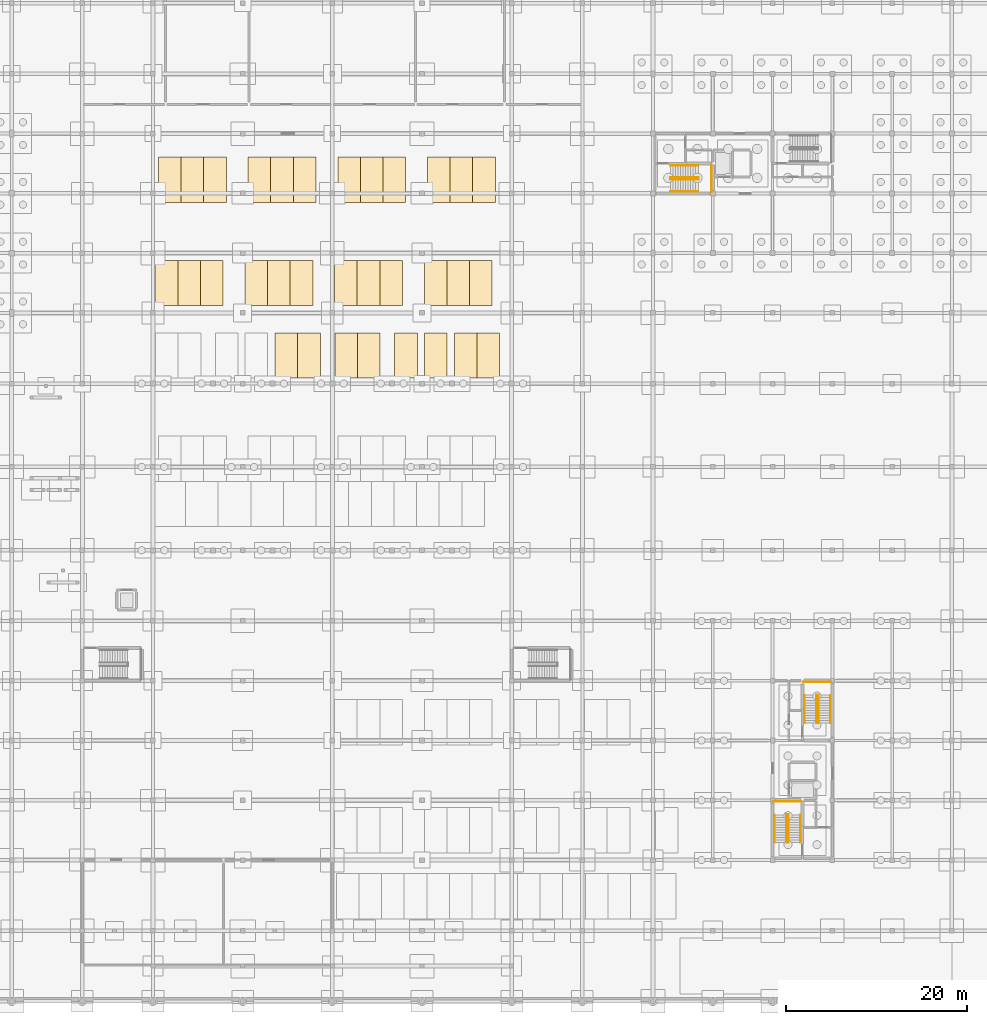
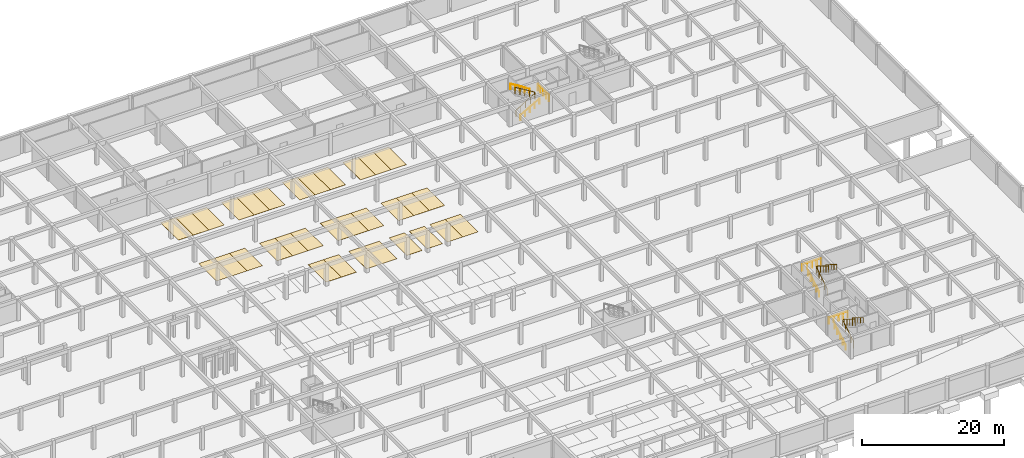
# One storey, part 35 of 37: 32 coverings, 12 railings.
"""IFC4 building model written with IfcOpenShell, lengths in metres."""

from ifc_helpers import new_model, si_unit, direction, frame, origin, origin_2d, place, context, subcontext, project, spatial, polyline, circle, outline, extrude, material, layer, layer_set, type_object, element, save


model = new_model("IFC4")

# Units and contexts
model_context = context("Model", 3, precision=1e-05, world=origin(), true_north=direction((0.0, 1.0)))
body_context = subcontext(model_context, "Body", "Model", "MODEL_VIEW")
ifc_project = project(units=[si_unit("LENGTHUNIT", "METRE"), si_unit("AREAUNIT", "SQUARE_METRE"), si_unit("VOLUMEUNIT", "CUBIC_METRE"), si_unit("PLANEANGLEUNIT", "RADIAN"), si_unit("MASSUNIT", "GRAM", prefix="KILO")], contexts=[model_context])

# Site, building, storey
site_placement = place(None, origin())
site = spatial("IfcSite", under=ifc_project, at=site_placement, CompositionType="ELEMENT")
building_placement = place(site_placement, origin())
building = spatial("IfcBuilding", under=site, at=building_placement, Name="Kernevlak Ridge Housing Community", CompositionType="ELEMENT")
storey_placement = place(building_placement, frame((0.0, 0.0, -3.800048828125)))
storey = spatial("IfcBuildingStorey", under=building, at=storey_placement, Name="B1", CompositionType="ELEMENT", Elevation=-3.800048828125)

# Coverings
ifc_material_1 = material(Name="White road marking paint on concrete", Category="concrete")
ifc_layer = layer(ifc_material_1, 0.010009765625, Name="White road marking paint on concrete")
ifc_layer_set = layer_set([ifc_layer], Name="White road marking paint on concrete")
covering_type = type_object("IfcCoveringType", Name="CV-05", PredefinedType="FLOORING", material=ifc_layer_set)
covering_1_placement = place(storey_placement, origin())
element("IfcCovering", 1, at=covering_1_placement, inside=storey, type_object=covering_type, Name="Parking bay 23", PredefinedType="FLOORING", context=body_context, shape_type="SweptSolid", body=[
    extrude(outline(polyline([(77.675048828125, 68.800048828125), (80.175048828125, 68.800048828125), (80.175048828125, 73.800048828125), (77.675048828125, 73.800048828125), (77.675048828125, 68.800048828125)])), origin(), (0.0, 0.0, 1.0), 0.010009765625),
])
covering_2_placement = place(storey_placement, origin())
element("IfcCovering", 2, at=covering_2_placement, inside=storey, type_object=covering_type, Name="Parking bay 24", PredefinedType="FLOORING", context=body_context, shape_type="SweptSolid", body=[
    extrude(outline(polyline([(80.175048828125, 68.800048828125), (82.675048828125, 68.800048828125), (82.675048828125, 73.800048828125), (80.175048828125, 73.800048828125), (80.175048828125, 68.800048828125)])), origin(), (0.0, 0.0, 1.0), 0.010009765625),
])
covering_3_placement = place(storey_placement, origin())
element("IfcCovering", 3, at=covering_3_placement, inside=storey, type_object=covering_type, Name="Parking bay 25", PredefinedType="FLOORING", context=body_context, shape_type="SweptSolid", body=[
    extrude(outline(polyline([(84.27490234375, 68.800048828125), (86.77490234375, 68.800048828125), (86.77490234375, 73.800048828125), (84.27490234375, 73.800048828125), (84.27490234375, 68.800048828125)])), origin(), (0.0, 0.0, 1.0), 0.010009765625),
])
covering_4_placement = place(storey_placement, origin())
element("IfcCovering", 4, at=covering_4_placement, inside=storey, type_object=covering_type, Name="Parking bay 26", PredefinedType="FLOORING", context=body_context, shape_type="SweptSolid", body=[
    extrude(outline(polyline([(86.77490234375, 68.800048828125), (89.27490234375, 68.800048828125), (89.27490234375, 73.800048828125), (86.77490234375, 73.800048828125), (86.77490234375, 68.800048828125)])), origin(), (0.0, 0.0, 1.0), 0.010009765625),
])
covering_5_placement = place(storey_placement, origin())
element("IfcCovering", 5, at=covering_5_placement, inside=storey, type_object=covering_type, Name="Parking bay 27", PredefinedType="FLOORING", context=body_context, shape_type="SweptSolid", body=[
    extrude(outline(polyline([(90.875, 68.800048828125), (93.375, 68.800048828125), (93.375, 73.800048828125), (90.875, 73.800048828125), (90.875, 68.800048828125)])), origin(), (0.0, 0.0, 1.0), 0.010009765625),
])
covering_6_placement = place(storey_placement, origin())
element("IfcCovering", 6, at=covering_6_placement, inside=storey, type_object=covering_type, Name="Parking bay 28", PredefinedType="FLOORING", context=body_context, shape_type="SweptSolid", body=[
    extrude(outline(polyline([(94.14990234375, 68.800048828125), (96.64990234375, 68.800048828125), (96.64990234375, 73.800048828125), (94.14990234375, 73.800048828125), (94.14990234375, 68.800048828125)])), origin(), (0.0, 0.0, 1.0), 0.010009765625),
])
covering_7_placement = place(storey_placement, origin())
element("IfcCovering", 7, at=covering_7_placement, inside=storey, type_object=covering_type, Name="Parking bay 29", PredefinedType="FLOORING", context=body_context, shape_type="SweptSolid", body=[
    extrude(outline(polyline([(97.47509765625, 68.800048828125), (99.97509765625, 68.800048828125), (99.97509765625, 73.800048828125), (97.47509765625, 73.800048828125), (97.47509765625, 68.800048828125)])), origin(), (0.0, 0.0, 1.0), 0.010009765625),
])
covering_8_placement = place(storey_placement, origin())
element("IfcCovering", 8, at=covering_8_placement, inside=storey, type_object=covering_type, Name="Parking bay 30", PredefinedType="FLOORING", context=body_context, shape_type="SweptSolid", body=[
    extrude(outline(polyline([(99.97509765625, 68.800048828125), (102.47509765625, 68.800048828125), (102.47509765625, 73.800048828125), (99.97509765625, 73.800048828125), (99.97509765625, 68.800048828125)])), origin(), (0.0, 0.0, 1.0), 0.010009765625),
])
covering_9_placement = place(storey_placement, origin())
element("IfcCovering", 9, at=covering_9_placement, inside=storey, type_object=covering_type, Name="Parking bay 31", PredefinedType="FLOORING", context=body_context, shape_type="SweptSolid", body=[
    extrude(outline(polyline([(64.449951171875, 76.800048828125), (66.949951171875, 76.800048828125), (66.949951171875, 81.800048828125), (64.449951171875, 81.800048828125), (64.449951171875, 76.800048828125)])), origin(), (0.0, 0.0, 1.0), 0.010009765625),
])
covering_10_placement = place(storey_placement, origin())
element("IfcCovering", 10, at=covering_10_placement, inside=storey, type_object=covering_type, Name="Parking bay 32", PredefinedType="FLOORING", context=body_context, shape_type="SweptSolid", body=[
    extrude(outline(polyline([(66.949951171875, 76.800048828125), (69.449951171875, 76.800048828125), (69.449951171875, 81.800048828125), (66.949951171875, 81.800048828125), (66.949951171875, 76.800048828125)])), origin(), (0.0, 0.0, 1.0), 0.010009765625),
])
covering_11_placement = place(storey_placement, origin())
element("IfcCovering", 11, at=covering_11_placement, inside=storey, type_object=covering_type, Name="Parking bay 33", PredefinedType="FLOORING", context=body_context, shape_type="SweptSolid", body=[
    extrude(outline(polyline([(69.449951171875, 76.800048828125), (71.949951171875, 76.800048828125), (71.949951171875, 81.800048828125), (69.449951171875, 81.800048828125), (69.449951171875, 76.800048828125)])), origin(), (0.0, 0.0, 1.0), 0.010009765625),
])
covering_12_placement = place(storey_placement, origin())
element("IfcCovering", 12, at=covering_12_placement, inside=storey, type_object=covering_type, Name="Parking bay 34", PredefinedType="FLOORING", context=body_context, shape_type="SweptSolid", body=[
    extrude(outline(polyline([(74.35009765625, 76.800048828125), (76.85009765625, 76.800048828125), (76.85009765625, 81.800048828125), (74.35009765625, 81.800048828125), (74.35009765625, 76.800048828125)])), origin(), (0.0, 0.0, 1.0), 0.010009765625),
])
covering_13_placement = place(storey_placement, origin())
element("IfcCovering", 13, at=covering_13_placement, inside=storey, type_object=covering_type, Name="Parking bay 35", PredefinedType="FLOORING", context=body_context, shape_type="SweptSolid", body=[
    extrude(outline(polyline([(76.85009765625, 76.800048828125), (79.35009765625, 76.800048828125), (79.35009765625, 81.800048828125), (76.85009765625, 81.800048828125), (76.85009765625, 76.800048828125)])), origin(), (0.0, 0.0, 1.0), 0.010009765625),
])
covering_14_placement = place(storey_placement, origin())
element("IfcCovering", 14, at=covering_14_placement, inside=storey, type_object=covering_type, Name="Parking bay 36", PredefinedType="FLOORING", context=body_context, shape_type="SweptSolid", body=[
    extrude(outline(polyline([(79.35009765625, 76.800048828125), (81.85009765625, 76.800048828125), (81.85009765625, 81.800048828125), (79.35009765625, 81.800048828125), (79.35009765625, 76.800048828125)])), origin(), (0.0, 0.0, 1.0), 0.010009765625),
])
covering_15_placement = place(storey_placement, origin())
element("IfcCovering", 15, at=covering_15_placement, inside=storey, type_object=covering_type, Name="Parking bay 37", PredefinedType="FLOORING", context=body_context, shape_type="SweptSolid", body=[
    extrude(outline(polyline([(84.25, 76.800048828125), (86.75, 76.800048828125), (86.75, 81.800048828125), (84.25, 81.800048828125), (84.25, 76.800048828125)])), origin(), (0.0, 0.0, 1.0), 0.010009765625),
])
covering_16_placement = place(storey_placement, origin())
element("IfcCovering", 16, at=covering_16_placement, inside=storey, type_object=covering_type, Name="Parking bay 38", PredefinedType="FLOORING", context=body_context, shape_type="SweptSolid", body=[
    extrude(outline(polyline([(86.75, 76.800048828125), (89.25, 76.800048828125), (89.25, 81.800048828125), (86.75, 81.800048828125), (86.75, 76.800048828125)])), origin(), (0.0, 0.0, 1.0), 0.010009765625),
])
covering_17_placement = place(storey_placement, origin())
element("IfcCovering", 17, at=covering_17_placement, inside=storey, type_object=covering_type, Name="Parking bay 39", PredefinedType="FLOORING", context=body_context, shape_type="SweptSolid", body=[
    extrude(outline(polyline([(89.25, 76.800048828125), (91.75, 76.800048828125), (91.75, 81.800048828125), (89.25, 81.800048828125), (89.25, 76.800048828125)])), origin(), (0.0, 0.0, 1.0), 0.010009765625),
])
covering_18_placement = place(storey_placement, origin())
element("IfcCovering", 18, at=covering_18_placement, inside=storey, type_object=covering_type, Name="Parking bay 40", PredefinedType="FLOORING", context=body_context, shape_type="SweptSolid", body=[
    extrude(outline(polyline([(94.14990234375, 76.800048828125), (96.64990234375, 76.800048828125), (96.64990234375, 81.800048828125), (94.14990234375, 81.800048828125), (94.14990234375, 76.800048828125)])), origin(), (0.0, 0.0, 1.0), 0.010009765625),
])
covering_19_placement = place(storey_placement, origin())
element("IfcCovering", 19, at=covering_19_placement, inside=storey, type_object=covering_type, Name="Parking bay 41", PredefinedType="FLOORING", context=body_context, shape_type="SweptSolid", body=[
    extrude(outline(polyline([(96.64990234375, 76.800048828125), (99.14990234375, 76.800048828125), (99.14990234375, 81.800048828125), (96.64990234375, 81.800048828125), (96.64990234375, 76.800048828125)])), origin(), (0.0, 0.0, 1.0), 0.010009765625),
])
covering_20_placement = place(storey_placement, origin())
element("IfcCovering", 20, at=covering_20_placement, inside=storey, type_object=covering_type, Name="Parking bay 42", PredefinedType="FLOORING", context=body_context, shape_type="SweptSolid", body=[
    extrude(outline(polyline([(99.14990234375, 76.800048828125), (101.64990234375, 76.800048828125), (101.64990234375, 81.800048828125), (99.14990234375, 81.800048828125), (99.14990234375, 76.800048828125)])), origin(), (0.0, 0.0, 1.0), 0.010009765625),
])
covering_21_placement = place(storey_placement, origin())
element("IfcCovering", 21, at=covering_21_placement, inside=storey, type_object=covering_type, Name="Parking bay 43", PredefinedType="FLOORING", context=body_context, shape_type="SweptSolid", body=[
    extrude(outline(polyline([(64.800048828125, 88.199951171875), (67.300048828125, 88.199951171875), (67.300048828125, 93.199951171875), (64.800048828125, 93.199951171875), (64.800048828125, 88.199951171875)])), origin(), (0.0, 0.0, 1.0), 0.010009765625),
])
covering_22_placement = place(storey_placement, origin())
element("IfcCovering", 22, at=covering_22_placement, inside=storey, type_object=covering_type, Name="Parking bay 44", PredefinedType="FLOORING", context=body_context, shape_type="SweptSolid", body=[
    extrude(outline(polyline([(67.300048828125, 88.199951171875), (69.800048828125, 88.199951171875), (69.800048828125, 93.199951171875), (67.300048828125, 93.199951171875), (67.300048828125, 88.199951171875)])), origin(), (0.0, 0.0, 1.0), 0.010009765625),
])
covering_23_placement = place(storey_placement, origin())
element("IfcCovering", 23, at=covering_23_placement, inside=storey, type_object=covering_type, Name="Parking bay 45", PredefinedType="FLOORING", context=body_context, shape_type="SweptSolid", body=[
    extrude(outline(polyline([(69.800048828125, 88.199951171875), (72.300048828125, 88.199951171875), (72.300048828125, 93.199951171875), (69.800048828125, 93.199951171875), (69.800048828125, 88.199951171875)])), origin(), (0.0, 0.0, 1.0), 0.010009765625),
])
covering_24_placement = place(storey_placement, origin())
element("IfcCovering", 24, at=covering_24_placement, inside=storey, type_object=covering_type, Name="Parking bay 46", PredefinedType="FLOORING", context=body_context, shape_type="SweptSolid", body=[
    extrude(outline(polyline([(74.699951171875, 88.199951171875), (77.199951171875, 88.199951171875), (77.199951171875, 93.199951171875), (74.699951171875, 93.199951171875), (74.699951171875, 88.199951171875)])), origin(), (0.0, 0.0, 1.0), 0.010009765625),
])
covering_25_placement = place(storey_placement, origin())
element("IfcCovering", 25, at=covering_25_placement, inside=storey, type_object=covering_type, Name="Parking bay 47", PredefinedType="FLOORING", context=body_context, shape_type="SweptSolid", body=[
    extrude(outline(polyline([(77.199951171875, 88.199951171875), (79.699951171875, 88.199951171875), (79.699951171875, 93.199951171875), (77.199951171875, 93.199951171875), (77.199951171875, 88.199951171875)])), origin(), (0.0, 0.0, 1.0), 0.010009765625),
])
covering_26_placement = place(storey_placement, origin())
element("IfcCovering", 26, at=covering_26_placement, inside=storey, type_object=covering_type, Name="Parking bay 48", PredefinedType="FLOORING", context=body_context, shape_type="SweptSolid", body=[
    extrude(outline(polyline([(79.699951171875, 88.199951171875), (82.199951171875, 88.199951171875), (82.199951171875, 93.199951171875), (79.699951171875, 93.199951171875), (79.699951171875, 88.199951171875)])), origin(), (0.0, 0.0, 1.0), 0.010009765625),
])
covering_27_placement = place(storey_placement, origin())
element("IfcCovering", 27, at=covering_27_placement, inside=storey, type_object=covering_type, Name="Parking bay 49", PredefinedType="FLOORING", context=body_context, shape_type="SweptSolid", body=[
    extrude(outline(polyline([(84.60009765625, 88.199951171875), (87.10009765625, 88.199951171875), (87.10009765625, 93.199951171875), (84.60009765625, 93.199951171875), (84.60009765625, 88.199951171875)])), origin(), (0.0, 0.0, 1.0), 0.010009765625),
])
covering_28_placement = place(storey_placement, origin())
element("IfcCovering", 28, at=covering_28_placement, inside=storey, type_object=covering_type, Name="Parking bay 50", PredefinedType="FLOORING", context=body_context, shape_type="SweptSolid", body=[
    extrude(outline(polyline([(87.10009765625, 88.199951171875), (89.60009765625, 88.199951171875), (89.60009765625, 93.199951171875), (87.10009765625, 93.199951171875), (87.10009765625, 88.199951171875)])), origin(), (0.0, 0.0, 1.0), 0.010009765625),
])
covering_29_placement = place(storey_placement, origin())
element("IfcCovering", 29, at=covering_29_placement, inside=storey, type_object=covering_type, Name="Parking bay 51", PredefinedType="FLOORING", context=body_context, shape_type="SweptSolid", body=[
    extrude(outline(polyline([(89.60009765625, 88.199951171875), (92.10009765625, 88.199951171875), (92.10009765625, 93.199951171875), (89.60009765625, 93.199951171875), (89.60009765625, 88.199951171875)])), origin(), (0.0, 0.0, 1.0), 0.010009765625),
])
covering_30_placement = place(storey_placement, origin())
element("IfcCovering", 30, at=covering_30_placement, inside=storey, type_object=covering_type, Name="Parking bay 52", PredefinedType="FLOORING", context=body_context, shape_type="SweptSolid", body=[
    extrude(outline(polyline([(94.5, 88.199951171875), (97.0, 88.199951171875), (97.0, 93.199951171875), (94.5, 93.199951171875), (94.5, 88.199951171875)])), origin(), (0.0, 0.0, 1.0), 0.010009765625),
])
covering_31_placement = place(storey_placement, origin())
element("IfcCovering", 31, at=covering_31_placement, inside=storey, type_object=covering_type, Name="Parking bay 53", PredefinedType="FLOORING", context=body_context, shape_type="SweptSolid", body=[
    extrude(outline(polyline([(97.0, 88.199951171875), (99.5, 88.199951171875), (99.5, 93.199951171875), (97.0, 93.199951171875), (97.0, 88.199951171875)])), origin(), (0.0, 0.0, 1.0), 0.010009765625),
])
covering_32_placement = place(storey_placement, origin())
element("IfcCovering", 32, at=covering_32_placement, inside=storey, type_object=covering_type, Name="Parking bay 54", PredefinedType="FLOORING", context=body_context, shape_type="SweptSolid", body=[
    extrude(outline(polyline([(99.5, 88.199951171875), (102.0, 88.199951171875), (102.0, 93.199951171875), (99.5, 93.199951171875), (99.5, 88.199951171875)])), origin(), (0.0, 0.0, 1.0), 0.010009765625),
])

# Railings
ifc_material_2 = material(Name="Steel S355", Category="steel")
railing_type_1 = type_object("IfcRailingType", Name="GR-02", PredefinedType="GUARDRAIL", material=ifc_material_2)
railing_1_placement = place(storey_placement, frame((121.320068359375, 90.719970703125, 0.0)))
element("IfcRailing", 33, at=railing_1_placement, inside=storey, type_object=railing_type_1, Name="Stair ST-B1 B1 inner well guardrail", PredefinedType="GUARDRAIL", context=body_context, shape_type="SweptSolid", body=[
    extrude(circle(Radius=0.02392578125, at=origin_2d()), frame((0.0, 0.0, 1.09619140625), z_axis=(0.854065598125, 0.0, 0.520165314203), x_axis=(0.0, 1.0, 0.0)), (0.0, 0.0, 1.0), 3.653076171875),
    extrude(circle(Radius=0.02392578125, at=origin_2d()), frame((3.119873046875, 0.0, 2.99609375), z_axis=(0.0, 1.0, 0.0), x_axis=(-1.0, 0.0, 0.0)), (0.0, 0.0, 1.0), 0.260009765625),
    extrude(circle(Radius=0.02392578125, at=origin_2d()), frame((3.119873046875, 0.260009765625, 2.99609375), z_axis=(-0.854095288912, 0.0, 0.520116561415), x_axis=(0.0, -1.0, 0.0)), (0.0, 0.0, 1.0), 3.65283203125),
    extrude(circle(Radius=0.02099609375, at=origin_2d()), origin(), (0.0, 0.0, 1.0), 1.072021484375),
    extrude(circle(Radius=0.02099609375, at=origin_2d()), frame((0.780029296875, 0.0, 0.47509765625)), (0.0, 0.0, 1.0), 1.072021484375),
    extrude(circle(Radius=0.02099609375, at=origin_2d()), frame((1.56005859375, 0.0, 0.9501953125)), (0.0, 0.0, 1.0), 1.072021484375),
    extrude(circle(Radius=0.02099609375, at=origin_2d()), frame((2.33984375, 0.0, 1.425048828125)), (0.0, 0.0, 1.0), 1.072021484375),
    extrude(circle(Radius=0.02099609375, at=origin_2d()), frame((3.119873046875, 0.0, 1.900146484375)), (0.0, 0.0, 1.0), 1.072021484375),
    extrude(circle(Radius=0.02099609375, at=origin_2d()), frame((3.119873046875, 0.260009765625, 1.900146484375)), (0.0, 0.0, 1.0), 1.072021484375),
    extrude(circle(Radius=0.02099609375, at=origin_2d()), frame((2.33984375, 0.260009765625, 2.375)), (0.0, 0.0, 1.0), 1.072021484375),
    extrude(circle(Radius=0.02099609375, at=origin_2d()), frame((1.56005859375, 0.260009765625, 2.85009765625)), (0.0, 0.0, 1.0), 1.072021484375),
    extrude(circle(Radius=0.02099609375, at=origin_2d()), frame((0.780029296875, 0.260009765625, 3.3251953125)), (0.0, 0.0, 1.0), 1.072021484375),
    extrude(circle(Radius=0.02099609375, at=origin_2d()), frame((0.0, 0.260009765625, 3.800048828125)), (0.0, 0.0, 1.0), 1.072021484375),
])
railing_2_placement = place(storey_placement, frame((125.8798828125, 89.320068359375, 1.900146484375)))
element("IfcRailing", 34, at=railing_2_placement, inside=storey, type_object=railing_type_1, Name="Stair ST-B1 B1 half-landing guard", PredefinedType="GUARDRAIL", context=body_context, shape_type="SweptSolid", body=[
    extrude(circle(Radius=0.02392578125, at=origin_2d()), frame((0.0, 0.0, 1.09619140625), z_axis=(0.0, 1.0, 0.0), x_axis=(-1.0, 0.0, 0.0)), (0.0, 0.0, 1.0), 3.059814453125),
    extrude(circle(Radius=0.02099609375, at=origin_2d()), origin(), (0.0, 0.0, 1.0), 1.072021484375),
    extrude(circle(Radius=0.02099609375, at=origin_2d()), frame((0.0, 0.764892578125, 0.0)), (0.0, 0.0, 1.0), 1.072021484375),
    extrude(circle(Radius=0.02099609375, at=origin_2d()), frame((0.0, 1.52978515625, 0.0)), (0.0, 0.0, 1.0), 1.072021484375),
    extrude(circle(Radius=0.02099609375, at=origin_2d()), frame((0.0, 2.294921875, 0.0)), (0.0, 0.0, 1.0), 1.072021484375),
    extrude(circle(Radius=0.02099609375, at=origin_2d()), frame((0.0, 3.059814453125, 0.0)), (0.0, 0.0, 1.0), 1.072021484375),
])
railing_3_placement = place(storey_placement, frame((134.1201171875, 17.52001953125, 0.0)))
element("IfcRailing", 35, at=railing_3_placement, inside=storey, type_object=railing_type_1, Name="Stair ST-C1 B1 inner well guardrail", PredefinedType="GUARDRAIL", context=body_context, shape_type="SweptSolid", body=[
    extrude(circle(Radius=0.02392578125, at=origin_2d()), frame((0.0, 0.0, 1.09619140625), z_axis=(0.0, 0.854065598125, 0.520165314203), x_axis=(-1.0, 0.0, 0.0)), (0.0, 0.0, 1.0), 3.653076171875),
    extrude(circle(Radius=0.02392578125, at=origin_2d()), frame((0.0, 3.119873046875, 2.99609375), z_axis=(1.0, 0.0, 0.0), x_axis=(0.0, 1.0, 0.0)), (0.0, 0.0, 1.0), 0.259765625),
    extrude(circle(Radius=0.02392578125, at=origin_2d()), frame((0.259765625, 3.119873046875, 2.99609375), z_axis=(0.0, -0.854095288912, 0.520116561415), x_axis=(1.0, 0.0, 0.0)), (0.0, 0.0, 1.0), 3.65283203125),
    extrude(circle(Radius=0.02099609375, at=origin_2d()), origin(), (0.0, 0.0, 1.0), 1.072021484375),
    extrude(circle(Radius=0.02099609375, at=origin_2d()), frame((0.0, 0.780029296875, 0.47509765625)), (0.0, 0.0, 1.0), 1.072021484375),
    extrude(circle(Radius=0.02099609375, at=origin_2d()), frame((0.0, 1.56005859375, 0.9501953125)), (0.0, 0.0, 1.0), 1.072021484375),
    extrude(circle(Radius=0.02099609375, at=origin_2d()), frame((0.0, 2.33984375, 1.425048828125)), (0.0, 0.0, 1.0), 1.072021484375),
    extrude(circle(Radius=0.02099609375, at=origin_2d()), frame((0.0, 3.119873046875, 1.900146484375)), (0.0, 0.0, 1.0), 1.072021484375),
    extrude(circle(Radius=0.02099609375, at=origin_2d()), frame((0.259765625, 3.119873046875, 1.900146484375)), (0.0, 0.0, 1.0), 1.072021484375),
    extrude(circle(Radius=0.02099609375, at=origin_2d()), frame((0.259765625, 2.33984375, 2.375)), (0.0, 0.0, 1.0), 1.072021484375),
    extrude(circle(Radius=0.02099609375, at=origin_2d()), frame((0.259765625, 1.56005859375, 2.85009765625)), (0.0, 0.0, 1.0), 1.072021484375),
    extrude(circle(Radius=0.02099609375, at=origin_2d()), frame((0.259765625, 0.780029296875, 3.3251953125)), (0.0, 0.0, 1.0), 1.072021484375),
    extrude(circle(Radius=0.02099609375, at=origin_2d()), frame((0.259765625, 0.0, 3.800048828125)), (0.0, 0.0, 1.0), 1.072021484375),
])
railing_4_placement = place(storey_placement, frame((132.719970703125, 22.080078125, 1.900146484375)))
element("IfcRailing", 36, at=railing_4_placement, inside=storey, type_object=railing_type_1, Name="Stair ST-C1 B1 half-landing guard", PredefinedType="GUARDRAIL", context=body_context, shape_type="SweptSolid", body=[
    extrude(circle(Radius=0.02392578125, at=origin_2d()), frame((0.0, 0.0, 1.09619140625), z_axis=(1.0, 0.0, 0.0), x_axis=(0.0, 1.0, 0.0)), (0.0, 0.0, 1.0), 3.06005859375),
    extrude(circle(Radius=0.02099609375, at=origin_2d()), origin(), (0.0, 0.0, 1.0), 1.072021484375),
    extrude(circle(Radius=0.02099609375, at=origin_2d()), frame((0.76513671875, 0.0, 0.0)), (0.0, 0.0, 1.0), 1.072021484375),
    extrude(circle(Radius=0.02099609375, at=origin_2d()), frame((1.530029296875, 0.0, 0.0)), (0.0, 0.0, 1.0), 1.072021484375),
    extrude(circle(Radius=0.02099609375, at=origin_2d()), frame((2.294921875, 0.0, 0.0)), (0.0, 0.0, 1.0), 1.072021484375),
    extrude(circle(Radius=0.02099609375, at=origin_2d()), frame((3.06005859375, 0.0, 0.0)), (0.0, 0.0, 1.0), 1.072021484375),
])
railing_5_placement = place(storey_placement, frame((137.419921875, 30.719970703125, 0.0)))
element("IfcRailing", 37, at=railing_5_placement, inside=storey, type_object=railing_type_1, Name="Stair ST-C2 B1 inner well guardrail", PredefinedType="GUARDRAIL", context=body_context, shape_type="SweptSolid", body=[
    extrude(circle(Radius=0.02392578125, at=origin_2d()), frame((0.0, 0.0, 1.09619140625), z_axis=(0.0, 0.854083679853, 0.520135624437), x_axis=(-1.0, 0.0, 0.0)), (0.0, 0.0, 1.0), 3.653076171875),
    extrude(circle(Radius=0.02392578125, at=origin_2d()), frame((0.0, 3.1201171875, 2.99609375), z_axis=(1.0, 0.0, 0.0), x_axis=(0.0, 1.0, 0.0)), (0.0, 0.0, 1.0), 0.260009765625),
    extrude(circle(Radius=0.02392578125, at=origin_2d()), frame((0.260009765625, 3.1201171875, 2.99609375), z_axis=(0.0, -0.85411336788, 0.520086872367), x_axis=(1.0, 0.0, 0.0)), (0.0, 0.0, 1.0), 3.653076171875),
    extrude(circle(Radius=0.02099609375, at=origin_2d()), origin(), (0.0, 0.0, 1.0), 1.072021484375),
    extrude(circle(Radius=0.02099609375, at=origin_2d()), frame((0.0, 0.780029296875, 0.47509765625)), (0.0, 0.0, 1.0), 1.072021484375),
    extrude(circle(Radius=0.02099609375, at=origin_2d()), frame((0.0, 1.56005859375, 0.9501953125)), (0.0, 0.0, 1.0), 1.072021484375),
    extrude(circle(Radius=0.02099609375, at=origin_2d()), frame((0.0, 2.340087890625, 1.425048828125)), (0.0, 0.0, 1.0), 1.072021484375),
    extrude(circle(Radius=0.02099609375, at=origin_2d()), frame((0.0, 3.1201171875, 1.900146484375)), (0.0, 0.0, 1.0), 1.072021484375),
    extrude(circle(Radius=0.02099609375, at=origin_2d()), frame((0.260009765625, 3.1201171875, 1.900146484375)), (0.0, 0.0, 1.0), 1.072021484375),
    extrude(circle(Radius=0.02099609375, at=origin_2d()), frame((0.260009765625, 2.340087890625, 2.375)), (0.0, 0.0, 1.0), 1.072021484375),
    extrude(circle(Radius=0.02099609375, at=origin_2d()), frame((0.260009765625, 1.56005859375, 2.85009765625)), (0.0, 0.0, 1.0), 1.072021484375),
    extrude(circle(Radius=0.02099609375, at=origin_2d()), frame((0.260009765625, 0.780029296875, 3.3251953125)), (0.0, 0.0, 1.0), 1.072021484375),
    extrude(circle(Radius=0.02099609375, at=origin_2d()), frame((0.260009765625, 0.0, 3.800048828125)), (0.0, 0.0, 1.0), 1.072021484375),
])
railing_6_placement = place(storey_placement, frame((136.02001953125, 35.280029296875, 1.900146484375)))
element("IfcRailing", 38, at=railing_6_placement, inside=storey, type_object=railing_type_1, Name="Stair ST-C2 B1 half-landing guard", PredefinedType="GUARDRAIL", context=body_context, shape_type="SweptSolid", body=[
    extrude(circle(Radius=0.02392578125, at=origin_2d()), frame((0.0, 0.0, 1.09619140625), z_axis=(1.0, 0.0, 0.0), x_axis=(0.0, 1.0, 0.0)), (0.0, 0.0, 1.0), 3.06005859375),
    extrude(circle(Radius=0.02099609375, at=origin_2d()), origin(), (0.0, 0.0, 1.0), 1.072021484375),
    extrude(circle(Radius=0.02099609375, at=origin_2d()), frame((0.76513671875, 0.0, 0.0)), (0.0, 0.0, 1.0), 1.072021484375),
    extrude(circle(Radius=0.02099609375, at=origin_2d()), frame((1.530029296875, 0.0, 0.0)), (0.0, 0.0, 1.0), 1.072021484375),
    extrude(circle(Radius=0.02099609375, at=origin_2d()), frame((2.294921875, 0.0, 0.0)), (0.0, 0.0, 1.0), 1.072021484375),
    extrude(circle(Radius=0.02099609375, at=origin_2d()), frame((3.06005859375, 0.0, 0.0)), (0.0, 0.0, 1.0), 1.072021484375),
])
ifc_material_3 = material(Name="Stainless steel EN 1.4401", Category="steel")
railing_type_2 = type_object("IfcRailingType", Name="HR-01", PredefinedType="HANDRAIL", material=ifc_material_3)
railing_7_placement = place(storey_placement, frame((121.320068359375, 89.419921875, 0.158447265625)))
element("IfcRailing", 39, at=railing_7_placement, inside=storey, type_object=railing_type_2, Name="Stair ST-B1 B1 flight 1 handrail", PredefinedType="HANDRAIL", context=body_context, shape_type="SweptSolid", body=[
    extrude(circle(Radius=0.02392578125, at=origin_2d()), frame((0.0, 0.0, 0.89599609375), z_axis=(0.870451010465, 0.0, 0.492255054194), x_axis=(0.0, 1.0, 0.0)), (0.0, 0.0, 1.0), 3.5380859375),
    extrude(circle(Radius=0.02099609375, at=origin_2d()), origin(), (0.0, 0.0, 1.0), 0.871826171875),
    extrude(circle(Radius=0.02099609375, at=origin_2d()), frame((0.77001953125, 0.0, 0.435546875)), (0.0, 0.0, 1.0), 0.871826171875),
    extrude(circle(Radius=0.02099609375, at=origin_2d()), frame((1.5400390625, 0.0, 0.870849609375)), (0.0, 0.0, 1.0), 0.871826171875),
    extrude(circle(Radius=0.02099609375, at=origin_2d()), frame((2.309814453125, 0.0, 1.30615234375)), (0.0, 0.0, 1.0), 0.871826171875),
    extrude(circle(Radius=0.02099609375, at=origin_2d()), frame((3.079833984375, 0.0, 1.74169921875)), (0.0, 0.0, 1.0), 0.871826171875),
])
railing_8_placement = place(storey_placement, frame((124.39990234375, 92.280029296875, 1.900146484375)))
element("IfcRailing", 40, at=railing_8_placement, inside=storey, type_object=railing_type_2, Name="Stair ST-B1 B1 flight 2 handrail", PredefinedType="HANDRAIL", context=body_context, shape_type="SweptSolid", body=[
    extrude(circle(Radius=0.02392578125, at=origin_2d()), frame((0.0, 0.0, 0.89599609375), z_axis=(-0.851087968781, 0.0, 0.525023113203), x_axis=(0.0, -1.0, 0.0)), (0.0, 0.0, 1.0), 3.61865234375),
    extrude(circle(Radius=0.02099609375, at=origin_2d()), origin(), (0.0, 0.0, 1.0), 0.871826171875),
    extrude(circle(Radius=0.02099609375, at=origin_2d()), frame((-0.77001953125, 0.0, 0.47509765625)), (0.0, 0.0, 1.0), 0.871826171875),
    extrude(circle(Radius=0.02099609375, at=origin_2d()), frame((-1.5400390625, 0.0, 0.949951171875)), (0.0, 0.0, 1.0), 0.871826171875),
    extrude(circle(Radius=0.02099609375, at=origin_2d()), frame((-2.309814453125, 0.0, 1.4248046875)), (0.0, 0.0, 1.0), 0.871826171875),
    extrude(circle(Radius=0.02099609375, at=origin_2d()), frame((-3.079833984375, 0.0, 1.89990234375)), (0.0, 0.0, 1.0), 0.871826171875),
])
railing_9_placement = place(storey_placement, frame((132.820068359375, 17.52001953125, 0.158447265625)))
element("IfcRailing", 41, at=railing_9_placement, inside=storey, type_object=railing_type_2, Name="Stair ST-C1 B1 flight 1 handrail", PredefinedType="HANDRAIL", context=body_context, shape_type="SweptSolid", body=[
    extrude(circle(Radius=0.02392578125, at=origin_2d()), frame((0.0, 0.0, 0.89599609375), z_axis=(0.0, 0.870467729004, 0.492225489752), x_axis=(-1.0, 0.0, 0.0)), (0.0, 0.0, 1.0), 3.538330078125),
    extrude(circle(Radius=0.02099609375, at=origin_2d()), origin(), (0.0, 0.0, 1.0), 0.871826171875),
    extrude(circle(Radius=0.02099609375, at=origin_2d()), frame((0.0, 0.77001953125, 0.435546875)), (0.0, 0.0, 1.0), 0.871826171875),
    extrude(circle(Radius=0.02099609375, at=origin_2d()), frame((0.0, 1.5400390625, 0.870849609375)), (0.0, 0.0, 1.0), 0.871826171875),
    extrude(circle(Radius=0.02099609375, at=origin_2d()), frame((0.0, 2.31005859375, 1.30615234375)), (0.0, 0.0, 1.0), 0.871826171875),
    extrude(circle(Radius=0.02099609375, at=origin_2d()), frame((0.0, 3.080078125, 1.74169921875)), (0.0, 0.0, 1.0), 0.871826171875),
])
railing_10_placement = place(storey_placement, frame((135.679931640625, 20.60009765625, 1.900146484375)))
element("IfcRailing", 42, at=railing_10_placement, inside=storey, type_object=railing_type_2, Name="Stair ST-C1 B1 flight 2 handrail", PredefinedType="HANDRAIL", context=body_context, shape_type="SweptSolid", body=[
    extrude(circle(Radius=0.02392578125, at=origin_2d()), frame((0.0, 0.0, 0.89599609375), z_axis=(0.0, -0.851106564228, 0.524992967884), x_axis=(1.0, 0.0, 0.0)), (0.0, 0.0, 1.0), 3.618896484375),
    extrude(circle(Radius=0.02099609375, at=origin_2d()), origin(), (0.0, 0.0, 1.0), 0.871826171875),
    extrude(circle(Radius=0.02099609375, at=origin_2d()), frame((0.0, -0.77001953125, 0.47509765625)), (0.0, 0.0, 1.0), 0.871826171875),
    extrude(circle(Radius=0.02099609375, at=origin_2d()), frame((0.0, -1.5400390625, 0.949951171875)), (0.0, 0.0, 1.0), 0.871826171875),
    extrude(circle(Radius=0.02099609375, at=origin_2d()), frame((0.0, -2.31005859375, 1.4248046875)), (0.0, 0.0, 1.0), 0.871826171875),
    extrude(circle(Radius=0.02099609375, at=origin_2d()), frame((0.0, -3.080078125, 1.89990234375)), (0.0, 0.0, 1.0), 0.871826171875),
])
railing_11_placement = place(storey_placement, frame((136.1201171875, 30.719970703125, 0.158447265625)))
element("IfcRailing", 43, at=railing_11_placement, inside=storey, type_object=railing_type_2, Name="Stair ST-C2 B1 flight 1 handrail", PredefinedType="HANDRAIL", context=body_context, shape_type="SweptSolid", body=[
    extrude(circle(Radius=0.02392578125, at=origin_2d()), frame((0.0, 0.0, 0.89599609375), z_axis=(0.0, 0.870467729004, 0.492225489752), x_axis=(-1.0, 0.0, 0.0)), (0.0, 0.0, 1.0), 3.538330078125),
    extrude(circle(Radius=0.02099609375, at=origin_2d()), origin(), (0.0, 0.0, 1.0), 0.871826171875),
    extrude(circle(Radius=0.02099609375, at=origin_2d()), frame((0.0, 0.77001953125, 0.435546875)), (0.0, 0.0, 1.0), 0.871826171875),
    extrude(circle(Radius=0.02099609375, at=origin_2d()), frame((0.0, 1.5400390625, 0.870849609375)), (0.0, 0.0, 1.0), 0.871826171875),
    extrude(circle(Radius=0.02099609375, at=origin_2d()), frame((0.0, 2.31005859375, 1.30615234375)), (0.0, 0.0, 1.0), 0.871826171875),
    extrude(circle(Radius=0.02099609375, at=origin_2d()), frame((0.0, 3.080078125, 1.74169921875)), (0.0, 0.0, 1.0), 0.871826171875),
])
railing_12_placement = place(storey_placement, frame((138.97998046875, 33.800048828125, 1.900146484375)))
element("IfcRailing", 44, at=railing_12_placement, inside=storey, type_object=railing_type_2, Name="Stair ST-C2 B1 flight 2 handrail", PredefinedType="HANDRAIL", context=body_context, shape_type="SweptSolid", body=[
    extrude(circle(Radius=0.02392578125, at=origin_2d()), frame((0.0, 0.0, 0.89599609375), z_axis=(0.0, -0.851106564228, 0.524992967884), x_axis=(1.0, 0.0, 0.0)), (0.0, 0.0, 1.0), 3.618896484375),
    extrude(circle(Radius=0.02099609375, at=origin_2d()), origin(), (0.0, 0.0, 1.0), 0.871826171875),
    extrude(circle(Radius=0.02099609375, at=origin_2d()), frame((0.0, -0.77001953125, 0.47509765625)), (0.0, 0.0, 1.0), 0.871826171875),
    extrude(circle(Radius=0.02099609375, at=origin_2d()), frame((0.0, -1.5400390625, 0.949951171875)), (0.0, 0.0, 1.0), 0.871826171875),
    extrude(circle(Radius=0.02099609375, at=origin_2d()), frame((0.0, -2.31005859375, 1.4248046875)), (0.0, 0.0, 1.0), 0.871826171875),
    extrude(circle(Radius=0.02099609375, at=origin_2d()), frame((0.0, -3.080078125, 1.89990234375)), (0.0, 0.0, 1.0), 0.871826171875),
])

save(model, "model.ifc")
